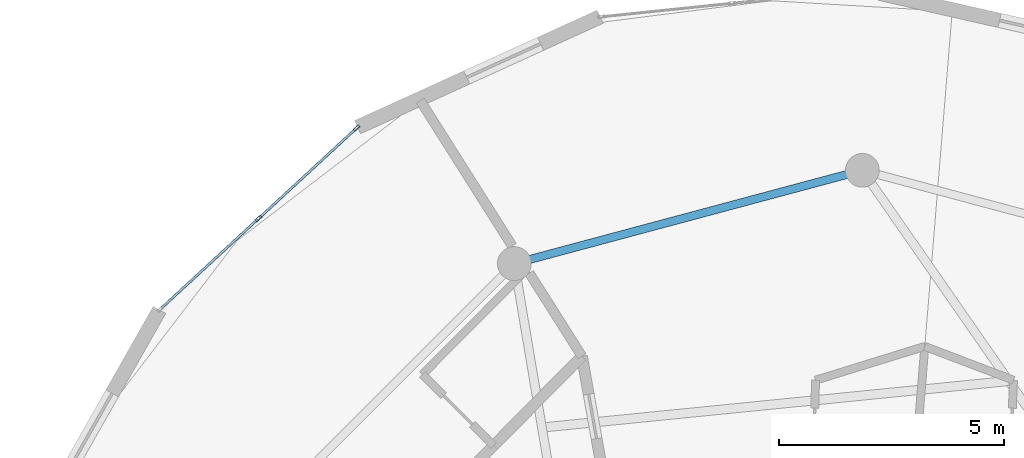
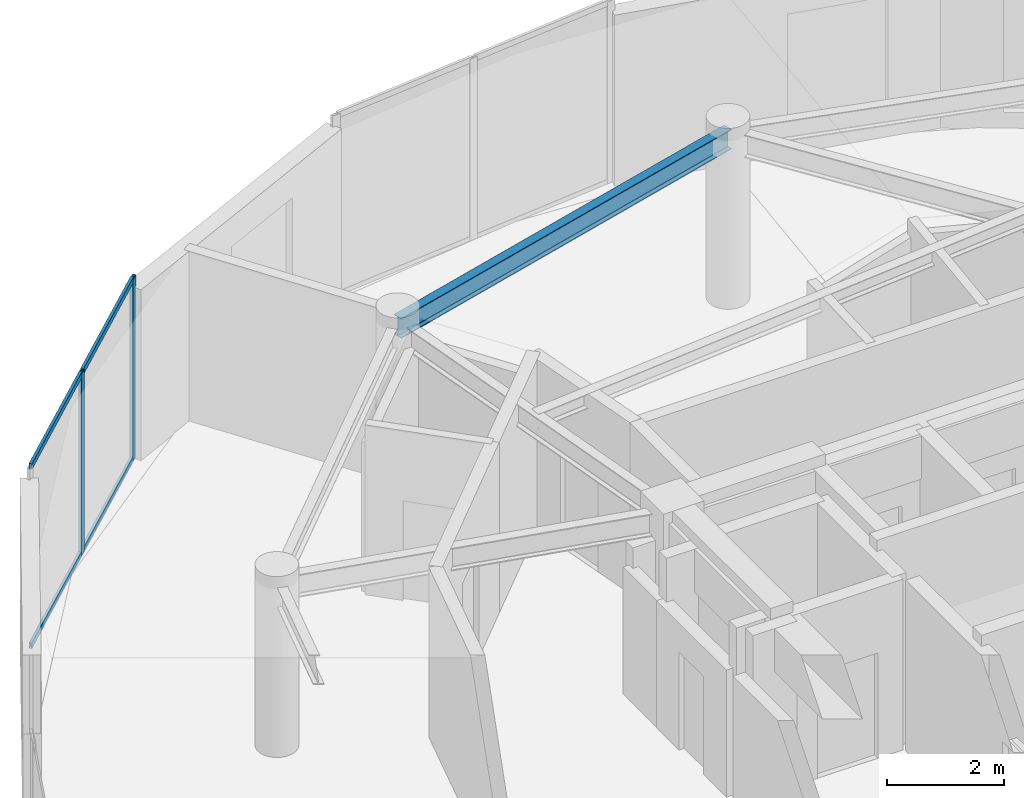
# One storey, part 13 of 22: 6 members, 1 beam, 1 element without a shape of its own.
"""IFC4 building model written with IfcOpenShell, lengths in metres."""

from ifc_helpers import new_model, si_unit, direction, frame, origin, origin_2d, place, context, subcontext, project, spatial, hollow_rectangle, i_section, extrude, source, transform, mapped, material, layer, layer_set, material_profile, profile_set, type_object, element, aggregate, save


model = new_model("IFC4")

# Units and contexts
model_context = context("Model", 3, precision=1e-05, world=origin(), true_north=direction((0.0, 1.0)))
body_context = subcontext(model_context, "Body", "Model", "MODEL_VIEW")
ifc_project = project(units=[si_unit("LENGTHUNIT", "METRE"), si_unit("AREAUNIT", "SQUARE_METRE"), si_unit("VOLUMEUNIT", "CUBIC_METRE"), si_unit("PLANEANGLEUNIT", "RADIAN"), si_unit("MASSUNIT", "GRAM", prefix="KILO")], contexts=[model_context])

# Site, building, storey
site_placement = place(None, origin())
site = spatial("IfcSite", under=ifc_project, at=site_placement, CompositionType="ELEMENT")
building_placement = place(site_placement, origin())
building = spatial("IfcBuilding", under=site, at=building_placement, Name="Solvirekh Grand Hotel", CompositionType="ELEMENT")
storey_placement = place(building_placement, frame((0.0, 0.0, 289.60009765625)))
storey = spatial("IfcBuildingStorey", under=building, at=storey_placement, Name="L75", CompositionType="ELEMENT", Elevation=289.60009765625)

# Beam
ifc_material_1 = material(Name="Steel S355", Category="steel")
ifc_material_profile_1 = material_profile(ifc_material_1, i_section(OverallWidth=0.180908203125, OverallDepth=0.4169921875, WebThickness=0.010009765625, FlangeThickness=0.01611328125, FilletRadius=0.011962890625, at=origin_2d()), Name="W410X85")
ifc_profile_set_1 = profile_set([ifc_material_profile_1], Name="Steel S355")
beam_type = type_object("IfcBeamType", Name="Spandrel_Ring_W410", PredefinedType="SPANDREL", material=ifc_profile_set_1)
beam_placement = place(storey_placement, frame((0.0, 15.449951171875, 3.36181640625), z_axis=(-0.965921616143, -0.258834757072, 0.0), x_axis=(0.258834757072, -0.965921616143, 0.0)))
element("IfcBeam", 1, at=beam_placement, inside=storey, type_object=beam_type, Name="L75 perimeter spandrel beam 4", PredefinedType="SPANDREL", context=body_context, shape_type="SweptSolid", body=[
    extrude(i_section(OverallWidth=0.180908203125, OverallDepth=0.4169921875, WebThickness=0.010009765625, FlangeThickness=0.01611328125, FilletRadius=0.011962890625, at=origin_2d()), origin(), (0.0, 0.0, 1.0), 7.99755859375),
])

# Curtain wall, members
ifc_material_2 = material(Name="Anodized Bronze Aluminium 6063-T6", Category="aluminium")
ifc_layer = layer(ifc_material_2, 0.159912109375)
ifc_layer_set = layer_set([ifc_layer], Name="Anodized Bronze Aluminium 6063-T6")
curtain_wall_type = type_object("IfcCurtainWallType", Name="CW_Sys4_HighZoneFlushBronzeCW", PredefinedType="NOTDEFINED", material=ifc_layer_set)
curtain_wall_placement = place(storey_placement, origin())
curtain_wall = element("IfcCurtainWall", 2, at=curtain_wall_placement, inside=storey, type_object=curtain_wall_type, Name="L75 unitised bronze-glass curtain wall CW-L75-C13", PredefinedType="NOTDEFINED")
ifc_material_profile_2 = material_profile(ifc_material_2, hollow_rectangle(XDim=0.054931640625, YDim=0.1201171875, WallThickness=0.00390625, at=origin_2d()), Name="ALU RHS 120X55X4")
ifc_profile_set_2 = profile_set([ifc_material_profile_2], Name="Anodized Bronze Aluminium 6063-T6")
member_type_1 = type_object("IfcMemberType", Name="CWTransom_Sys4", PredefinedType="USERDEFINED", material=ifc_profile_set_2)
shared_shape_1 = source(origin(), body_context, "Body", "SweptSolid", [
    extrude(hollow_rectangle(XDim=0.054931640625, YDim=0.1201171875, WallThickness=0.00390625, at=origin_2d()), origin(), (0.0, 0.0, 1.0), 2.90234375),
])
member_1_placement = place(storey_placement, frame((-13.426513671875, 14.359619140625, 0.02734375), z_axis=(-0.73500658029, -0.67805997296, 0.0), x_axis=(0.67805997296, -0.73500658029, 0.0)))
member_1 = element("IfcMember", 3, at=member_1_placement, type_object=member_type_1, Name="U04 transom 2.1", ObjectType="TRANSOM", PredefinedType="USERDEFINED", context=body_context, shape_type="MappedRepresentation", body=[
    mapped(shared_shape_1, transform((0.0, 0.0, 0.0), x_axis=(1.0, 0.0, 0.0), y_axis=(0.0, 1.0, 0.0), z_axis=(0.0, 0.0, 1.0), scale=1.0)),
])
member_2_placement = place(storey_placement, frame((-13.426513671875, 14.359619140625, 3.7724609375), z_axis=(-0.73500658029, -0.67805997296, 0.0), x_axis=(0.67805997296, -0.73500658029, 0.0)))
member_2 = element("IfcMember", 4, at=member_2_placement, type_object=member_type_1, Name="U04 transom 2.2", ObjectType="TRANSOM", PredefinedType="USERDEFINED", context=body_context, shape_type="MappedRepresentation", body=[
    mapped(shared_shape_1, transform((0.0, 0.0, 0.0), x_axis=(1.0, 0.0, 0.0), y_axis=(0.0, 1.0, 0.0), z_axis=(0.0, 0.0, 1.0), scale=1.0)),
])
shared_shape_2 = source(origin(), body_context, "Body", "SweptSolid", [
    extrude(hollow_rectangle(XDim=0.054931640625, YDim=0.1201171875, WallThickness=0.00390625, at=origin_2d()), origin(), (0.0, 0.0, 1.0), 2.902587890625),
])
member_3_placement = place(storey_placement, frame((-11.2490234375, 16.368408203125, 0.02734375), z_axis=(-0.735045250375, -0.678018052784, 0.0), x_axis=(0.678018052784, -0.735045250375, 0.0)))
member_3 = element("IfcMember", 5, at=member_3_placement, type_object=member_type_1, Name="U04 transom 1.1", ObjectType="TRANSOM", PredefinedType="USERDEFINED", context=body_context, shape_type="MappedRepresentation", body=[
    mapped(shared_shape_2, transform((0.0, 0.0, 0.0), x_axis=(1.0, 0.0, 0.0), y_axis=(0.0, 1.0, 0.0), z_axis=(0.0, 0.0, 1.0), scale=1.0)),
])
member_4_placement = place(storey_placement, frame((-11.2490234375, 16.368408203125, 3.7724609375), z_axis=(-0.735045250375, -0.678018052784, 0.0), x_axis=(0.678018052784, -0.735045250375, 0.0)))
member_4 = element("IfcMember", 6, at=member_4_placement, type_object=member_type_1, Name="U04 transom 1.2", ObjectType="TRANSOM", PredefinedType="USERDEFINED", context=body_context, shape_type="MappedRepresentation", body=[
    mapped(shared_shape_2, transform((0.0, 0.0, 0.0), x_axis=(1.0, 0.0, 0.0), y_axis=(0.0, 1.0, 0.0), z_axis=(0.0, 0.0, 1.0), scale=1.0)),
])
ifc_material_profile_3 = material_profile(ifc_material_2, hollow_rectangle(XDim=0.06005859375, YDim=0.159912109375, WallThickness=0.0048828125, at=origin_2d()), Name="ALU RHS 160X60X5")
ifc_profile_set_3 = profile_set([ifc_material_profile_3], Name="Anodized Bronze Aluminium 6063-T6")
member_type_2 = type_object("IfcMemberType", Name="CWMullion_Sys4", PredefinedType="MULLION", material=ifc_profile_set_3)
shared_shape_3 = source(origin(), body_context, "Body", "SweptSolid", [
    extrude(hollow_rectangle(XDim=0.06005859375, YDim=0.159912109375, WallThickness=0.0048828125, at=origin_2d()), origin(), (0.0, 0.0, 1.0), 3.7998046875),
])
member_5_placement = place(storey_placement, frame((-11.22705078125, 16.388671875, 0.0), z_axis=(0.0, 0.0, 1.0), x_axis=(0.678044115667, -0.73502120868, 0.0)))
member_5 = element("IfcMember", 7, at=member_5_placement, type_object=member_type_2, Name="U04 mullion 1", PredefinedType="MULLION", context=body_context, shape_type="MappedRepresentation", body=[
    mapped(shared_shape_3, transform((0.0, 0.0, 0.0), x_axis=(1.0, 0.0, 0.0), y_axis=(0.0, 1.0, 0.0), z_axis=(0.0, 0.0, 1.0), scale=1.0)),
])
member_6_placement = place(storey_placement, frame((-13.404541015625, 14.3798828125, 0.0), z_axis=(0.0, 0.0, 1.0), x_axis=(0.678044115667, -0.73502120868, 0.0)))
member_6 = element("IfcMember", 8, at=member_6_placement, type_object=member_type_2, Name="U04 mullion 2", PredefinedType="MULLION", context=body_context, shape_type="MappedRepresentation", body=[
    mapped(shared_shape_3, transform((0.0, 0.0, 0.0), x_axis=(1.0, 0.0, 0.0), y_axis=(0.0, 1.0, 0.0), z_axis=(0.0, 0.0, 1.0), scale=1.0)),
])
aggregate(curtain_wall, [member_5, member_6, member_3, member_4, member_1, member_2])

save(model, "model.ifc")
